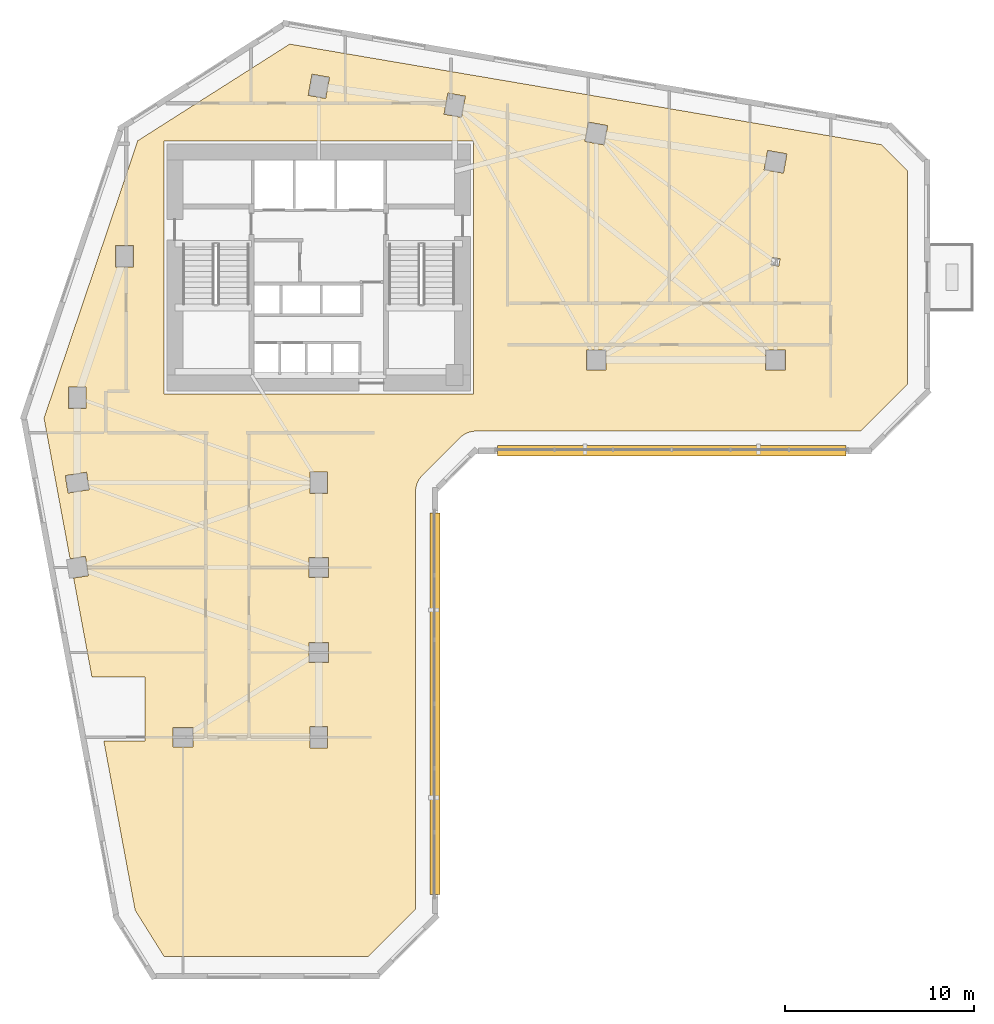
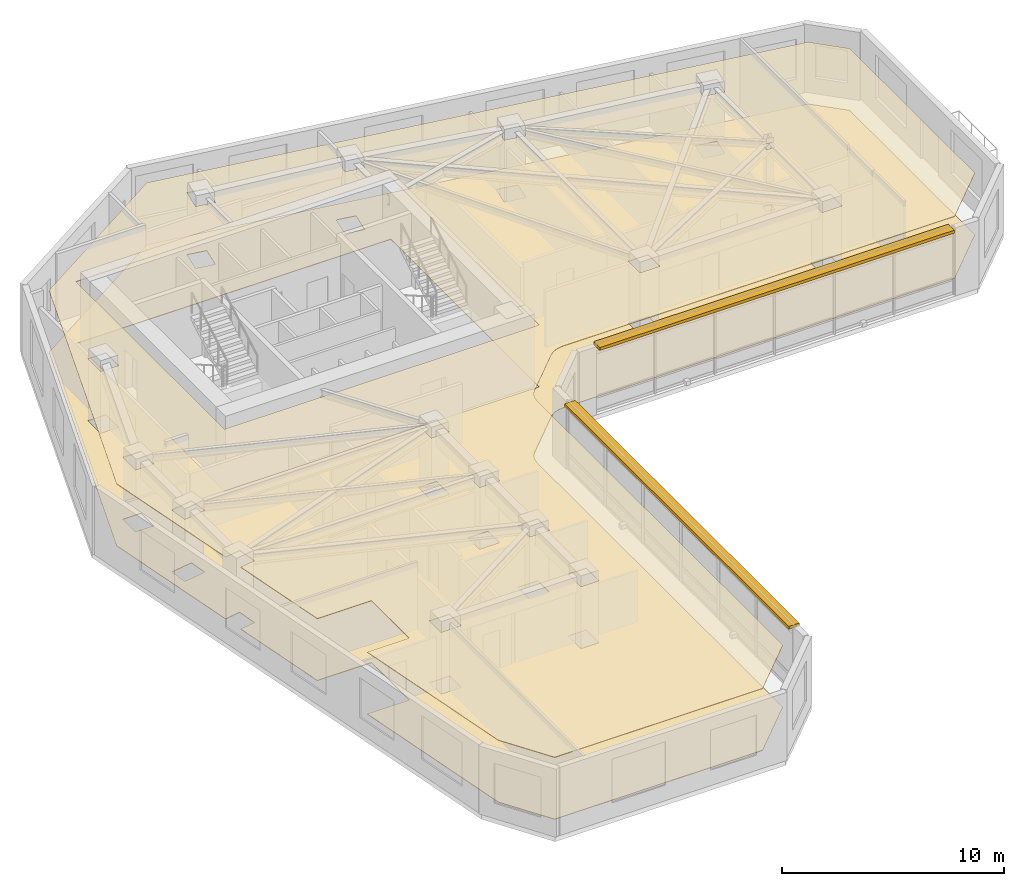
# One storey, part 9 of 11: 2 coverings, 2 shading devices.
"""IFC4 building model written with IfcOpenShell, lengths in metres."""

import ifcopenshell
import ifcopenshell.guid

model = None  # the IFC model being written
_history = None  # IfcOwnerHistory: only IFC2X3 demands one
_inside = {}  # id of a spatial element -> (the spatial element, [elements in it])
_under = {}  # id of a project, library or spatial element -> (it, [spatial elements below it])
_declared = {}  # id of a project -> (the project, [libraries it declares])
_typed = {}  # id of a type object -> (the type object, [elements of that type])
_made_of = {}  # id of a material, layer set ... -> (it, [elements and type objects made of it])


def new_model(schema):
    """Start an empty IFC model of exactly this schema.

    Asked for "IFC4X3", IfcOpenShell would pick the latest addendum, in which some entities
    have other attributes; the version numbers below select the first issue.
    IFC2X3 requires an IfcOwnerHistory on every rooted entity: one is made here for all.
    """
    global model, _history
    if schema == "IFC4X3":
        model = ifcopenshell.file(schema_version=(4, 3, 0, 0))
    else:
        model = ifcopenshell.file(schema=schema)
    _inside.clear()
    _under.clear()
    _declared.clear()
    _typed.clear()
    _made_of.clear()
    _history = None
    if model.schema == "IFC2X3":
        org = make("IfcOrganization", Name="unknown")
        user = make(
            "IfcPersonAndOrganization",
            ThePerson=make("IfcPerson", FamilyName="unknown"),
            TheOrganization=org,
        )
        app = make(
            "IfcApplication",
            ApplicationDeveloper=org,
            Version="unknown",
            ApplicationFullName="unknown",
            ApplicationIdentifier="unknown",
        )
        _history = make(
            "IfcOwnerHistory",
            OwningUser=user,
            OwningApplication=app,
            ChangeAction="ADDED",
            CreationDate=0,
        )
    return model


def make(cls, **values):
    """One entity of the class cls with the attributes given. An attribute that is None is left unset."""
    return model.create_entity(
        cls, **{name: value for name, value in values.items() if value is not None}
    )


def rooted(cls, **values):
    """An entity with a GlobalId (a new one), such as an element, a storey or a relation."""
    return make(cls, GlobalId=ifcopenshell.guid.new(), OwnerHistory=_history, **values)


def si_unit(unit_type, name, prefix=None):
    """IfcSIUnit, for example si_unit("LENGTHUNIT", "METRE", prefix="MILLI")."""
    return make("IfcSIUnit", UnitType=unit_type, Prefix=prefix, Name=name)


def assignment(units):
    """IfcUnitAssignment: the units of a project."""
    return None if units is None else make("IfcUnitAssignment", Units=units)


def point(xyz):
    """IfcCartesianPoint."""
    return None if xyz is None else make("IfcCartesianPoint", Coordinates=xyz)


def direction(xyz):
    """IfcDirection."""
    return None if xyz is None else make("IfcDirection", DirectionRatios=xyz)


def frame(location, z_axis=None, x_axis=None):
    """IfcAxis2Placement3D, a coordinate frame: its origin and axes. An axis left out is left unset."""
    return make(
        "IfcAxis2Placement3D",
        Location=point(location),
        Axis=direction(z_axis),
        RefDirection=direction(x_axis),
    )


def frame_2d(location, x_axis=None):
    """IfcAxis2Placement2D, a coordinate frame in the plane: its origin and x axis."""
    return make(
        "IfcAxis2Placement2D", Location=point(location), RefDirection=direction(x_axis)
    )


def origin():
    """The frame at (0, 0, 0) with its axes left unset."""
    return frame((0.0, 0.0, 0.0))


def place(relative_to, where):
    """IfcLocalPlacement: puts the frame where relative to a parent placement (None: the world)."""
    return make(
        "IfcLocalPlacement", PlacementRelTo=relative_to, RelativePlacement=where
    )


def context(
    kind, dimensions, precision=None, world=None, true_north=None, identifier=None
):
    """IfcGeometricRepresentationContext, for example the 3D "Model" context."""
    return make(
        "IfcGeometricRepresentationContext",
        ContextIdentifier=identifier,
        ContextType=kind,
        CoordinateSpaceDimension=dimensions,
        Precision=precision,
        WorldCoordinateSystem=world,
        TrueNorth=true_north,
    )


def subcontext(parent, identifier, kind, view, scale=None):
    """IfcGeometricRepresentationSubContext, for example "Body" below "Model"."""
    return make(
        "IfcGeometricRepresentationSubContext",
        ContextIdentifier=identifier,
        ContextType=kind,
        ParentContext=parent,
        TargetScale=scale,
        TargetView=view,
    )


def project(units=None, contexts=None):
    """IfcProject with its units and contexts."""
    return rooted(
        "IfcProject",
        Name="project",
        RepresentationContexts=contexts,
        UnitsInContext=assignment(units),
    )


def spatial(cls, under=None, at=None, **own):
    """A site, building, storey or space (cls), placed at a placement, below another one or the project."""
    s = rooted(cls, ObjectPlacement=at, **own)
    if under is not None:
        _under.setdefault(under.id(), (under, []))[1].append(s)
    return s


def polyline(points):
    """IfcPolyline through the points."""
    return make("IfcPolyline", Points=[point(p) for p in points])


def profile(cls, at=None, kind="AREA", **sizes):
    """A parametric profile (cls). Its sizes go by their IFC names, for example OverallWidth=200.0."""
    return make(cls, ProfileType=kind, Position=at, **sizes)


def rectangle(**sizes):
    """IfcRectangleProfileDef."""
    return profile("IfcRectangleProfileDef", **sizes)


def outline(outer, holes=None, kind="AREA"):
    """IfcArbitraryClosedProfileDef: a profile drawn as a closed curve; with holes, ...WithVoids."""
    if holes is None:
        return make("IfcArbitraryClosedProfileDef", ProfileType=kind, OuterCurve=outer)
    return make(
        "IfcArbitraryProfileDefWithVoids",
        ProfileType=kind,
        OuterCurve=outer,
        InnerCurves=holes,
    )


def extrude(swept, where, along, depth):
    """IfcExtrudedAreaSolid: the profile swept, set in the frame where, extruded along a direction by depth."""
    return make(
        "IfcExtrudedAreaSolid",
        SweptArea=swept,
        Position=where,
        ExtrudedDirection=direction(along),
        Depth=depth,
    )


def shape(context_of_items, identifier, shape_type, items):
    """IfcShapeRepresentation: the items that make up one representation, for example the "Body"."""
    return make(
        "IfcShapeRepresentation",
        ContextOfItems=context_of_items,
        RepresentationIdentifier=identifier,
        RepresentationType=shape_type,
        Items=items,
    )


def material(Name=None, Category=None):
    """IfcMaterial."""
    return make("IfcMaterial", Name=Name, Category=Category)


def layer(
    of_material, thickness, ventilated=None, Name=None, Category=None, Priority=None
):
    """IfcMaterialLayer: one layer of a wall or slab, of a material (None: an air gap)."""
    return make(
        "IfcMaterialLayer",
        Material=of_material,
        LayerThickness=thickness,
        IsVentilated=ventilated,
        Name=Name,
        Category=Category,
        Priority=Priority,
    )


def layer_set(layers, Name=None):
    """IfcMaterialLayerSet."""
    return make("IfcMaterialLayerSet", MaterialLayers=layers, LayerSetName=Name)


def made_of(thing, what):
    """Note that an element or type object is made of a material, layer set ...; save() writes the relation."""
    if what is not None:
        _made_of.setdefault(what.id(), (what, []))[1].append(thing)
    return thing


def type_object(cls, material=None, **own):
    """A type object (cls), such as IfcWallType, which elements share."""
    return made_of(rooted(cls, **own), material)


def element(
    cls,
    number,
    at=None,
    inside=None,
    cuts=None,
    type_object=None,
    material=None,
    context=None,
    identifier="Body",
    shape_type=None,
    held_by="IfcProductDefinitionShape",
    body=None,
    shapes=None,
    **own,
):
    """One element of the class cls, such as IfcWall. Its Tag is "e" and its number.

    at: its placement. inside: the storey or other place that contains it. cuts: it is an
    opening in that element (IfcRelVoidsElement). A single representation is given by context,
    identifier, shape_type and body (its items); several are given by shapes. held_by: the class
    of the entity that holds the representations. save() writes the other relations.
    """
    e = rooted(cls, Tag="e%d" % number, ObjectPlacement=at, **own)
    if body is not None:
        shapes = [shape(context, identifier, shape_type, body)]
    if shapes is not None:
        e.Representation = make(held_by, Representations=shapes)
    if inside is not None:
        _inside.setdefault(inside.id(), (inside, []))[1].append(e)
    if cuts is not None:
        rooted(
            "IfcRelVoidsElement", RelatingBuildingElement=cuts, RelatedOpeningElement=e
        )
    if type_object is not None:
        _typed.setdefault(type_object.id(), (type_object, []))[1].append(e)
    return made_of(e, material)


def aggregate(whole, parts):
    """IfcRelAggregates: a whole, such as a stair, and the parts it consists of."""
    return rooted("IfcRelAggregates", RelatingObject=whole, RelatedObjects=parts)


def save(model, path):
    """Write the relations noted so far, then the file.

    IfcRelAggregates (storeys below a building ...), IfcRelContainedInSpatialStructure (elements
    in a storey), IfcRelDefinesByType, IfcRelAssociatesMaterial and IfcRelDeclares: one each for
    every whole, place, type object, material and project.
    """
    for whole, parts in _under.values():
        aggregate(whole, parts)
    for where, things in _inside.values():
        rooted(
            "IfcRelContainedInSpatialStructure",
            RelatedElements=things,
            RelatingStructure=where,
        )
    for kind, things in _typed.values():
        rooted("IfcRelDefinesByType", RelatedObjects=things, RelatingType=kind)
    for what, things in _made_of.values():
        rooted("IfcRelAssociatesMaterial", RelatedObjects=things, RelatingMaterial=what)
    for by, libraries in _declared.values():
        rooted("IfcRelDeclares", RelatingContext=by, RelatedDefinitions=libraries)
    model.write(path)


model = new_model("IFC4")

# Units and contexts
model_context = context("Model", 3, precision=1e-05, world=origin(), true_north=direction((0.0, 1.0)))
body_context = subcontext(model_context, "Body", "Model", "MODEL_VIEW")
ifc_project = project(units=[si_unit("LENGTHUNIT", "METRE"), si_unit("AREAUNIT", "SQUARE_METRE"), si_unit("VOLUMEUNIT", "CUBIC_METRE"), si_unit("PLANEANGLEUNIT", "RADIAN"), si_unit("MASSUNIT", "GRAM", prefix="KILO")], contexts=[model_context])

# Site, building, storey
site_placement = place(None, origin())
site = spatial("IfcSite", under=ifc_project, at=site_placement, CompositionType="ELEMENT")
building_placement = place(site_placement, origin())
building = spatial("IfcBuilding", under=site, at=building_placement, Name="Calvemar Wedge Station Tower", CompositionType="ELEMENT")
storey_placement = place(building_placement, frame((0.0, 0.0, 75.0)))
storey = spatial("IfcBuildingStorey", under=building, at=storey_placement, Name="L18", CompositionType="ELEMENT", Elevation=75.0)

# Coverings
ifc_material_1 = material(Name="Moisture-resistant gypsum ceiling")
ifc_layer_1 = layer(ifc_material_1, 0.0400390625)
ifc_layer_set_1 = layer_set([ifc_layer_1], Name="Moisture-resistant gypsum ceiling")
covering_type_1 = type_object("IfcCoveringType", Name="COV-CEIL-GYPSUM", PredefinedType="CEILING", material=ifc_layer_set_1)
covering_1_placement = place(storey_placement, frame((0.0, 0.0, 3.39990234375)))
element("IfcCovering", 1, at=covering_1_placement, inside=storey, type_object=covering_type_1, Name="Storey L18 Acoustic Suspended Ceiling", PredefinedType="CEILING", context=body_context, shape_type="SweptSolid", body=[
    extrude(outline(polyline([(29.279541015625, 28.87646484375), (31.279541015625, 30.87646484375), (31.36669921875, 30.95556640625), (31.461181640625, 31.02587890625), (31.562255859375, 31.086181640625), (31.668701171875, 31.13671875), (31.77978515625, 31.17626953125), (31.893798828125, 31.204833984375), (32.010498046875, 31.22216796875), (32.1279296875, 31.22802734375), (52.5029296875, 31.22802734375), (55.0, 33.72509765625), (55.0, 45.031005859375), (53.621826171875, 46.408935546875), (22.25439453125, 51.739501953125), (14.201416015625, 46.614990234375), (9.23681640625, 31.911865234375), (10.6162109375, 24.465087890625), (11.43115234375, 24.595703125), (11.595703125, 23.56884765625), (10.805908203125, 23.4423828125), (11.777099609375, 18.199951171875), (14.60009765625, 18.199951171875), (14.60009765625, 14.800048828125), (12.406982421875, 14.800048828125), (14.06640625, 5.8427734375), (15.593017578125, 3.39990234375), (26.430908203125, 3.39990234375), (28.927978515625, 5.897216796875), (28.927978515625, 28.028076171875), (28.933837890625, 28.1455078125), (28.951171875, 28.26220703125), (28.979736328125, 28.376220703125), (29.019287109375, 28.4873046875), (29.069580078125, 28.59375), (29.130126953125, 28.694580078125), (29.200439453125, 28.789306640625), (29.279541015625, 28.87646484375)]), holes=[polyline([(15.60009765625, 46.60009765625), (32.0, 46.60009765625), (32.0, 33.199951171875), (15.60009765625, 33.199951171875), (15.60009765625, 46.60009765625)]), polyline([(10.530029296875, 32.429931640625), (10.530029296875, 33.570068359375), (11.469970703125, 33.570068359375), (11.469970703125, 32.429931640625), (10.530029296875, 32.429931640625)]), polyline([(13.030029296875, 41.070068359375), (13.969970703125, 41.070068359375), (13.969970703125, 39.929931640625), (13.030029296875, 39.929931640625), (13.030029296875, 41.070068359375)]), polyline([(24.363525390625, 49.977783203125), (24.16162109375, 48.855712890625), (23.236572265625, 49.022216796875), (23.4384765625, 50.144287109375), (24.363525390625, 49.977783203125)]), polyline([(31.361572265625, 47.855712890625), (30.4365234375, 48.022216796875), (30.638427734375, 49.144287109375), (31.5634765625, 48.977783203125), (31.361572265625, 47.855712890625)]), polyline([(37.89599609375, 46.580322265625), (38.080322265625, 47.60400390625), (39.10400390625, 47.419677734375), (38.919677734375, 46.39599609375), (37.89599609375, 46.580322265625)]), polyline([(47.580322265625, 46.10400390625), (48.60400390625, 45.919677734375), (48.419677734375, 44.89599609375), (47.39599609375, 45.080322265625), (47.580322265625, 46.10400390625)]), polyline([(39.02001953125, 35.52001953125), (39.02001953125, 34.47998046875), (37.97998046875, 34.47998046875), (37.97998046875, 35.52001953125), (39.02001953125, 35.52001953125)]), polyline([(48.52001953125, 34.47998046875), (47.47998046875, 34.47998046875), (47.47998046875, 35.52001953125), (48.52001953125, 35.52001953125), (48.52001953125, 34.47998046875)]), polyline([(47.759765625, 40.033935546875), (47.832763671875, 40.439453125), (48.240234375, 40.3662109375), (48.167236328125, 39.960693359375), (47.759765625, 40.033935546875)]), polyline([(11.488525390625, 29.05419921875), (11.63720703125, 28.126220703125), (10.511474609375, 27.94580078125), (10.36279296875, 28.873779296875), (11.488525390625, 29.05419921875)]), polyline([(24.27001953125, 27.929931640625), (23.330078125, 27.929931640625), (23.330078125, 29.070068359375), (24.27001953125, 29.070068359375), (24.27001953125, 27.929931640625)]), polyline([(23.280029296875, 23.47998046875), (23.280029296875, 24.52001953125), (24.320068359375, 24.52001953125), (24.320068359375, 23.47998046875), (23.280029296875, 23.47998046875)]), polyline([(23.280029296875, 20.02001953125), (24.320068359375, 20.02001953125), (24.320068359375, 18.97998046875), (23.280029296875, 18.97998046875), (23.280029296875, 20.02001953125)]), polyline([(24.27001953125, 15.570068359375), (24.27001953125, 14.429931640625), (23.330078125, 14.429931640625), (23.330078125, 15.570068359375), (24.27001953125, 15.570068359375)]), polyline([(17.1201171875, 14.47998046875), (16.080078125, 14.47998046875), (16.080078125, 15.52001953125), (17.1201171875, 15.52001953125), (17.1201171875, 14.47998046875)])]), origin(), (0.0, 0.0, 1.0), 0.0400390625),
])
ifc_material_2 = material(Name="Commercial raised access floor")
ifc_layer_2 = layer(ifc_material_2, 0.030029296875)
ifc_layer_set_2 = layer_set([ifc_layer_2], Name="Commercial raised access floor")
covering_type_2 = type_object("IfcCoveringType", Name="COV-FLR-RAISED", PredefinedType="FLOORING", material=ifc_layer_set_2)
covering_2_placement = place(storey_placement, origin())
element("IfcCovering", 2, at=covering_2_placement, inside=storey, type_object=covering_type_2, Name="Storey L18 Architectural Floor Finish", PredefinedType="FLOORING", context=body_context, shape_type="SweptSolid", body=[
    extrude(outline(polyline([(29.279541015625, 28.87646484375), (31.279541015625, 30.87646484375), (31.36669921875, 30.95556640625), (31.461181640625, 31.02587890625), (31.562255859375, 31.086181640625), (31.668701171875, 31.13671875), (31.77978515625, 31.17626953125), (31.893798828125, 31.204833984375), (32.010498046875, 31.22216796875), (32.1279296875, 31.22802734375), (52.5029296875, 31.22802734375), (55.0, 33.72509765625), (55.0, 45.031005859375), (53.621826171875, 46.408935546875), (22.25439453125, 51.739501953125), (14.201416015625, 46.614990234375), (9.23681640625, 31.911865234375), (10.6162109375, 24.465087890625), (11.43115234375, 24.595703125), (11.595703125, 23.56884765625), (10.805908203125, 23.4423828125), (11.777099609375, 18.199951171875), (14.60009765625, 18.199951171875), (14.60009765625, 14.800048828125), (12.406982421875, 14.800048828125), (14.06640625, 5.8427734375), (15.593017578125, 3.39990234375), (26.430908203125, 3.39990234375), (28.927978515625, 5.897216796875), (28.927978515625, 28.028076171875), (28.933837890625, 28.1455078125), (28.951171875, 28.26220703125), (28.979736328125, 28.376220703125), (29.019287109375, 28.4873046875), (29.069580078125, 28.59375), (29.130126953125, 28.694580078125), (29.200439453125, 28.789306640625), (29.279541015625, 28.87646484375)]), holes=[polyline([(15.60009765625, 46.60009765625), (32.0, 46.60009765625), (32.0, 33.199951171875), (15.60009765625, 33.199951171875), (15.60009765625, 46.60009765625)]), polyline([(10.530029296875, 32.429931640625), (10.530029296875, 33.570068359375), (11.469970703125, 33.570068359375), (11.469970703125, 32.429931640625), (10.530029296875, 32.429931640625)]), polyline([(13.030029296875, 41.070068359375), (13.969970703125, 41.070068359375), (13.969970703125, 39.929931640625), (13.030029296875, 39.929931640625), (13.030029296875, 41.070068359375)]), polyline([(24.363525390625, 49.977783203125), (24.16162109375, 48.855712890625), (23.236572265625, 49.022216796875), (23.4384765625, 50.144287109375), (24.363525390625, 49.977783203125)]), polyline([(31.361572265625, 47.855712890625), (30.4365234375, 48.022216796875), (30.638427734375, 49.144287109375), (31.5634765625, 48.977783203125), (31.361572265625, 47.855712890625)]), polyline([(37.89599609375, 46.580322265625), (38.080322265625, 47.60400390625), (39.10400390625, 47.419677734375), (38.919677734375, 46.39599609375), (37.89599609375, 46.580322265625)]), polyline([(47.580322265625, 46.10400390625), (48.60400390625, 45.919677734375), (48.419677734375, 44.89599609375), (47.39599609375, 45.080322265625), (47.580322265625, 46.10400390625)]), polyline([(39.02001953125, 35.52001953125), (39.02001953125, 34.47998046875), (37.97998046875, 34.47998046875), (37.97998046875, 35.52001953125), (39.02001953125, 35.52001953125)]), polyline([(48.52001953125, 34.47998046875), (47.47998046875, 34.47998046875), (47.47998046875, 35.52001953125), (48.52001953125, 35.52001953125), (48.52001953125, 34.47998046875)]), polyline([(47.759765625, 40.033935546875), (47.832763671875, 40.439453125), (48.240234375, 40.3662109375), (48.167236328125, 39.960693359375), (47.759765625, 40.033935546875)]), polyline([(11.488525390625, 29.05419921875), (11.63720703125, 28.126220703125), (10.511474609375, 27.94580078125), (10.36279296875, 28.873779296875), (11.488525390625, 29.05419921875)]), polyline([(24.27001953125, 27.929931640625), (23.330078125, 27.929931640625), (23.330078125, 29.070068359375), (24.27001953125, 29.070068359375), (24.27001953125, 27.929931640625)]), polyline([(23.280029296875, 23.47998046875), (23.280029296875, 24.52001953125), (24.320068359375, 24.52001953125), (24.320068359375, 23.47998046875), (23.280029296875, 23.47998046875)]), polyline([(23.280029296875, 20.02001953125), (24.320068359375, 20.02001953125), (24.320068359375, 18.97998046875), (23.280029296875, 18.97998046875), (23.280029296875, 20.02001953125)]), polyline([(24.27001953125, 15.570068359375), (24.27001953125, 14.429931640625), (23.330078125, 14.429931640625), (23.330078125, 15.570068359375), (24.27001953125, 15.570068359375)]), polyline([(17.1201171875, 14.47998046875), (16.080078125, 14.47998046875), (16.080078125, 15.52001953125), (17.1201171875, 15.52001953125), (17.1201171875, 14.47998046875)])]), origin(), (0.0, 0.0, 1.0), 0.030029296875),
])

# Shading devices
ifc_material_3 = material(Name="Precast concrete C45", Category="concrete")
shading_device_type = type_object("IfcShadingDeviceType", Name="SHD-EYEBROW-1", PredefinedType="SHUTTER", material=ifc_material_3)
shading_device_1_placement = place(storey_placement, frame((29.9580078125, 6.662109375, 3.570068359375), z_axis=(0.0, 0.0, 1.0), x_axis=(0.0, 1.0, 0.0)))
element("IfcShadingDevice", 3, at=shading_device_1_placement, inside=storey, type_object=shading_device_type, Name="Storey L18 Bronze GFRC Solar Eyebrow 4", PredefinedType="SHUTTER", context=body_context, shape_type="SweptSolid", body=[
    extrude(rectangle(XDim=20.22802734375, YDim=0.550048828125, at=frame_2d((10.114013671875, 0.0))), origin(), (0.0, 0.0, 1.0), 0.159912109375),
])
shading_device_2_placement = place(storey_placement, frame((33.265869140625, 30.197998046875, 3.570068359375), z_axis=(0.0, 0.0, 1.0), x_axis=(1.0, 0.0, 0.0)))
element("IfcShadingDevice", 4, at=shading_device_2_placement, inside=storey, type_object=shading_device_type, Name="Storey L18 Bronze GFRC Solar Eyebrow 6", PredefinedType="SHUTTER", context=body_context, shape_type="SweptSolid", body=[
    extrude(rectangle(XDim=18.471923828125, YDim=0.550048828125, at=frame_2d((9.23583984375, 0.0))), origin(), (0.0, 0.0, 1.0), 0.159912109375),
])

save(model, "model.ifc")
